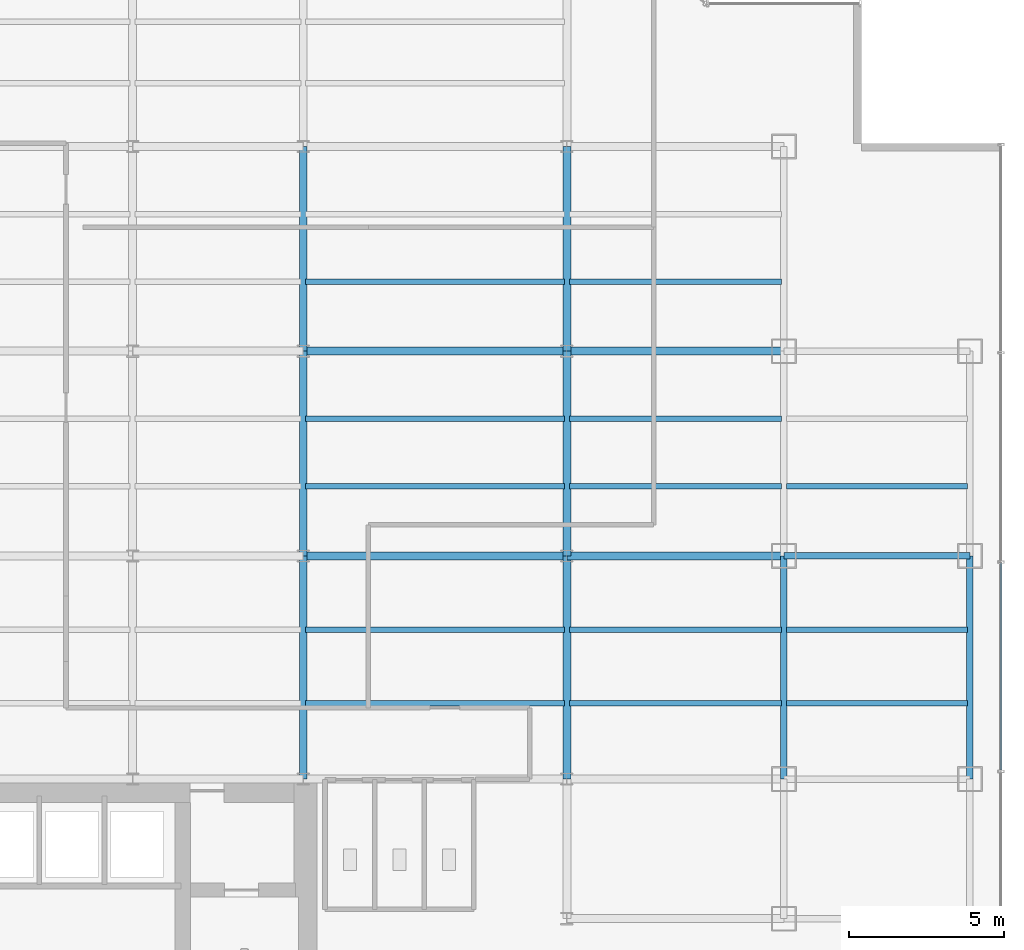
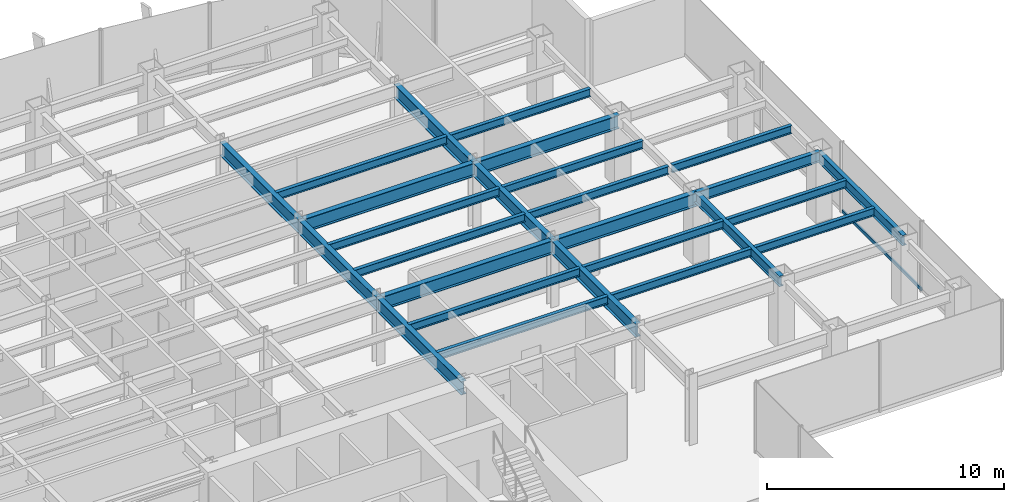
# One storey, part 11 of 26: 26 beams, 1 member, 1 element without a shape of its own.
"""IFC4 building model written with IfcOpenShell, lengths in metres."""

from ifc_helpers import new_model, si_unit, derived_unit, direction, frame, origin, origin_2d, place, context, subcontext, project, spatial, hollow_rectangle, i_section, extrude, source, transform, mapped, material, material_profile, profile_set, type_object, element, aggregate, save


model = new_model("IFC4")

# Units and contexts
model_context = context("Model", 3, precision=1e-05, world=origin(), true_north=direction((0.0, 1.0)))
body_context = subcontext(model_context, "Body", "Model", "MODEL_VIEW")
ifc_project = project(units=[si_unit("LENGTHUNIT", "METRE"), si_unit("AREAUNIT", "SQUARE_METRE"), si_unit("VOLUMEUNIT", "CUBIC_METRE"), si_unit("PLANEANGLEUNIT", "RADIAN"), si_unit("MASSUNIT", "GRAM", prefix="KILO"), derived_unit("THERMALTRANSMITTANCEUNIT", [(si_unit("POWERUNIT", "WATT"), 1), (si_unit("LENGTHUNIT", "METRE"), -2), (si_unit("THERMODYNAMICTEMPERATUREUNIT", "KELVIN"), -1)])], contexts=[model_context])

# Site, building, storey
site_placement = place(None, origin())
site = spatial("IfcSite", under=ifc_project, at=site_placement, CompositionType="ELEMENT")
building_placement = place(site_placement, origin())
building = spatial("IfcBuilding", under=site, at=building_placement, Name="Skarnbrae Concourse Arena and Tower", CompositionType="ELEMENT")
storey_placement = place(building_placement, frame((0.0, 0.0, 95.949951171875)))
storey = spatial("IfcBuildingStorey", under=building, at=storey_placement, Name="L23", CompositionType="ELEMENT", Elevation=95.949951171875)

# Beams
ifc_material_1 = material(Name="Steel CSA G40.21 350W", Category="steel")
ifc_material_profile_1 = material_profile(ifc_material_1, i_section(OverallWidth=0.256103515625, OverallDepth=0.693115234375, WebThickness=0.014404296875, FlangeThickness=0.023681640625, at=origin_2d()), Name="W690X170")
ifc_profile_set_1 = profile_set([ifc_material_profile_1], Name="Steel CSA G40.21 350W")
beam_type_1 = type_object("IfcBeamType", Name="BM-GIRD-W690X170", PredefinedType="BEAM", material=ifc_profile_set_1)
shared_shape_1 = source(origin(), body_context, "Body", "SweptSolid", [
    extrude(i_section(OverallWidth=0.256103515625, OverallDepth=0.693115234375, WebThickness=0.014404296875, FlangeThickness=0.023681640625, at=origin_2d()), origin(), (0.0, 0.0, 1.0), 7.0),
])
for number, where, z_axis, x_axis, name in (
    (1, (42.0, 21.199951171875, 3.053466796875), (1.0, 0.0, 0.0), (0.0, 1.0, 0.0), "L23 Primary E-W girder Y21.2-7"),
    (2, (42.0, 27.800048828125, 3.053466796875), (1.0, 0.0, 0.0), (0.0, 1.0, 0.0), "L23 Primary E-W girder Y27.8-7"),
):
    element("IfcBeam", number, at=place(storey_placement, frame(where, z_axis=z_axis, x_axis=x_axis)), inside=storey, type_object=beam_type_1, Name=name, PredefinedType="BEAM", context=body_context, shape_type="MappedRepresentation", body=[
        mapped(shared_shape_1, transform((0.0, 0.0, 0.0))),
    ])
ifc_material_profile_2 = material_profile(ifc_material_1, i_section(OverallWidth=0.208984375, OverallDepth=0.532958984375, WebThickness=0.01025390625, FlangeThickness=0.015625, at=origin_2d()), Name="W530X92")
ifc_profile_set_2 = profile_set([ifc_material_profile_2], Name="Steel CSA G40.21 350W")
beam_type_2 = type_object("IfcBeamType", Name="BM-SPAN-W530X92", PredefinedType="SPANDREL", material=ifc_profile_set_2)
shared_shape_2 = source(origin(), body_context, "Body", "SweptSolid", [
    extrude(i_section(OverallWidth=0.208984375, OverallDepth=0.532958984375, WebThickness=0.01025390625, FlangeThickness=0.015625, at=origin_2d()), origin(), (0.0, 0.0, 1.0), 6.0),
])
beam_placement = place(storey_placement, frame((49.0, 21.199951171875, 3.133544921875), z_axis=(1.0, 0.0, 0.0), x_axis=(0.0, 1.0, 0.0)))
element("IfcBeam", 3, at=beam_placement, inside=storey, type_object=beam_type_2, Name="L23 Perimeter spandrel Y21.2-8", PredefinedType="SPANDREL", context=body_context, shape_type="MappedRepresentation", body=[
    mapped(shared_shape_2, transform((0.0, 0.0, 0.0))),
])
shared_shape_3 = source(origin(), body_context, "Body", "SweptSolid", [
    extrude(i_section(OverallWidth=0.256103515625, OverallDepth=0.693115234375, WebThickness=0.014404296875, FlangeThickness=0.023681640625, at=origin_2d()), origin(), (0.0, 0.0, 1.0), 6.60009765625),
])
for number, where, z_axis, x_axis, name in (
    (4, (33.5, 21.199951171875, 3.053466796875), (0.0, 1.0, 0.0), (-1.0, 0.0, 0.0), "L23 Primary N-S girder X33.5-2"),
    (5, (42.0, 21.199951171875, 3.053466796875), (0.0, 1.0, 0.0), (-1.0, 0.0, 0.0), "L23 Primary N-S girder X42.0-3"),
):
    element("IfcBeam", number, at=place(storey_placement, frame(where, z_axis=z_axis, x_axis=x_axis)), inside=storey, type_object=beam_type_1, Name=name, PredefinedType="BEAM", context=body_context, shape_type="MappedRepresentation", body=[
        mapped(shared_shape_3, transform((0.0, 0.0, 0.0))),
    ])
shared_shape_4 = source(origin(), body_context, "Body", "SweptSolid", [
    extrude(i_section(OverallWidth=0.256103515625, OverallDepth=0.693115234375, WebThickness=0.014404296875, FlangeThickness=0.023681640625, at=origin_2d()), origin(), (0.0, 0.0, 1.0), 8.5),
])
for number, where, z_axis, x_axis, name in (
    (6, (33.5, 21.199951171875, 3.053466796875), (1.0, 0.0, 0.0), (0.0, 1.0, 0.0), "L23 Primary E-W girder Y21.2-6"),
    (7, (33.5, 27.800048828125, 3.053466796875), (1.0, 0.0, 0.0), (0.0, 1.0, 0.0), "L23 Primary E-W girder Y27.8-6"),
):
    element("IfcBeam", number, at=place(storey_placement, frame(where, z_axis=z_axis, x_axis=x_axis)), inside=storey, type_object=beam_type_1, Name=name, PredefinedType="BEAM", context=body_context, shape_type="MappedRepresentation", body=[
        mapped(shared_shape_4, transform((0.0, 0.0, 0.0))),
    ])
shared_shape_5 = source(origin(), body_context, "Body", "SweptSolid", [
    extrude(i_section(OverallWidth=0.208984375, OverallDepth=0.532958984375, WebThickness=0.01025390625, FlangeThickness=0.015625, at=origin_2d()), origin(), (0.0, 0.0, 1.0), 7.199951171875),
])
for number, where, z_axis, x_axis, name in (
    (8, (49.0, 14.0, 3.133544921875), (0.0, 1.0, 0.0), (-1.0, 0.0, 0.0), "L23 Perimeter spandrel X49.0-2"),
    (9, (55.0, 14.0, 3.133544921875), (0.0, 1.0, 0.0), (-1.0, 0.0, 0.0), "L23 Perimeter spandrel X55.0-2"),
):
    element("IfcBeam", number, at=place(storey_placement, frame(where, z_axis=z_axis, x_axis=x_axis)), inside=storey, type_object=beam_type_2, Name=name, PredefinedType="SPANDREL", context=body_context, shape_type="MappedRepresentation", body=[
        mapped(shared_shape_5, transform((0.0, 0.0, 0.0))),
    ])
shared_shape_6 = source(origin(), body_context, "Body", "SweptSolid", [
    extrude(i_section(OverallWidth=0.256103515625, OverallDepth=0.693115234375, WebThickness=0.014404296875, FlangeThickness=0.023681640625, at=origin_2d()), origin(), (0.0, 0.0, 1.0), 7.199951171875),
])
for number, where, z_axis, x_axis, name in (
    (10, (33.5, 14.0, 3.053466796875), (0.0, 1.0, 0.0), (-1.0, 0.0, 0.0), "L23 Primary N-S girder X33.5-1"),
    (11, (42.0, 14.0, 3.053466796875), (0.0, 1.0, 0.0), (-1.0, 0.0, 0.0), "L23 Primary N-S girder X42.0-2"),
):
    element("IfcBeam", number, at=place(storey_placement, frame(where, z_axis=z_axis, x_axis=x_axis)), inside=storey, type_object=beam_type_1, Name=name, PredefinedType="BEAM", context=body_context, shape_type="MappedRepresentation", body=[
        mapped(shared_shape_6, transform((0.0, 0.0, 0.0))),
    ])
shared_shape_7 = source(origin(), body_context, "Body", "SweptSolid", [
    extrude(i_section(OverallWidth=0.256103515625, OverallDepth=0.693115234375, WebThickness=0.014404296875, FlangeThickness=0.023681640625, at=origin_2d()), origin(), (0.0, 0.0, 1.0), 6.599853515625),
])
for number, where, z_axis, x_axis, name in (
    (12, (33.5, 27.800048828125, 3.053466796875), (0.0, 1.0, 0.0), (-1.0, 0.0, 0.0), "L23 Primary N-S girder X33.5-3"),
    (13, (42.0, 27.800048828125, 3.053466796875), (0.0, 1.0, 0.0), (-1.0, 0.0, 0.0), "L23 Primary N-S girder X42.0-4"),
):
    element("IfcBeam", number, at=place(storey_placement, frame(where, z_axis=z_axis, x_axis=x_axis)), inside=storey, type_object=beam_type_1, Name=name, PredefinedType="BEAM", context=body_context, shape_type="MappedRepresentation", body=[
        mapped(shared_shape_7, transform((0.0, 0.0, 0.0))),
    ])
ifc_material_profile_3 = material_profile(ifc_material_1, i_section(OverallWidth=0.177978515625, OverallDepth=0.406982421875, WebThickness=0.0078125, FlangeThickness=0.0126953125, at=origin_2d()), Name="W410X60")
ifc_profile_set_3 = profile_set([ifc_material_profile_3], Name="Steel CSA G40.21 350W")
beam_type_3 = type_object("IfcBeamType", Name="BM-JOIST-W410X60", PredefinedType="JOIST", material=ifc_profile_set_3)
shared_shape_8 = source(origin(), body_context, "Body", "SweptSolid", [
    extrude(i_section(OverallWidth=0.177978515625, OverallDepth=0.406982421875, WebThickness=0.0078125, FlangeThickness=0.0126953125, at=origin_2d()), origin(), (0.0, 0.0, 1.0), 8.33984375),
])
for number, where, z_axis, x_axis, name in (
    (14, (33.580078125, 16.447998046875, 3.196533203125), (1.0, 0.0, 0.0), (0.0, 1.0, 0.0), "L23 Secondary floor joist 1.1.6"),
    (15, (33.580078125, 18.823974609375, 3.196533203125), (1.0, 0.0, 0.0), (0.0, 1.0, 0.0), "L23 Secondary floor joist 1.2.6"),
    (16, (33.580078125, 23.444091796875, 3.196533203125), (1.0, 0.0, 0.0), (0.0, 1.0, 0.0), "L23 Secondary floor joist 2.1.6"),
    (17, (33.580078125, 25.6220703125, 3.196533203125), (1.0, 0.0, 0.0), (0.0, 1.0, 0.0), "L23 Secondary floor joist 2.2.6"),
    (18, (33.580078125, 30.0439453125, 3.196533203125), (1.0, 0.0, 0.0), (0.0, 1.0, 0.0), "L23 Secondary floor joist 3.1.5"),
):
    element("IfcBeam", number, at=place(storey_placement, frame(where, z_axis=z_axis, x_axis=x_axis)), inside=storey, type_object=beam_type_3, Name=name, PredefinedType="JOIST", context=body_context, shape_type="MappedRepresentation", body=[
        mapped(shared_shape_8, transform((0.0, 0.0, 0.0))),
    ])
shared_shape_9 = source(origin(), body_context, "Body", "SweptSolid", [
    extrude(i_section(OverallWidth=0.177978515625, OverallDepth=0.406982421875, WebThickness=0.0078125, FlangeThickness=0.0126953125, at=origin_2d()), origin(), (0.0, 0.0, 1.0), 6.83984375),
])
for number, where, z_axis, x_axis, name in (
    (19, (42.080078125, 16.447998046875, 3.196533203125), (1.0, 0.0, 0.0), (0.0, 1.0, 0.0), "L23 Secondary floor joist 1.1.7"),
    (20, (42.080078125, 18.823974609375, 3.196533203125), (1.0, 0.0, 0.0), (0.0, 1.0, 0.0), "L23 Secondary floor joist 1.2.7"),
    (21, (42.080078125, 23.444091796875, 3.196533203125), (1.0, 0.0, 0.0), (0.0, 1.0, 0.0), "L23 Secondary floor joist 2.1.7"),
    (22, (42.080078125, 25.6220703125, 3.196533203125), (1.0, 0.0, 0.0), (0.0, 1.0, 0.0), "L23 Secondary floor joist 2.2.7"),
    (23, (42.080078125, 30.0439453125, 3.196533203125), (1.0, 0.0, 0.0), (0.0, 1.0, 0.0), "L23 Secondary floor joist 3.1.6"),
):
    element("IfcBeam", number, at=place(storey_placement, frame(where, z_axis=z_axis, x_axis=x_axis)), inside=storey, type_object=beam_type_3, Name=name, PredefinedType="JOIST", context=body_context, shape_type="MappedRepresentation", body=[
        mapped(shared_shape_9, transform((0.0, 0.0, 0.0))),
    ])
shared_shape_10 = source(origin(), body_context, "Body", "SweptSolid", [
    extrude(i_section(OverallWidth=0.177978515625, OverallDepth=0.406982421875, WebThickness=0.0078125, FlangeThickness=0.0126953125, at=origin_2d()), origin(), (0.0, 0.0, 1.0), 5.83984375),
])
for number, where, z_axis, x_axis, name in (
    (24, (49.080078125, 16.447998046875, 3.196533203125), (1.0, 0.0, 0.0), (0.0, 1.0, 0.0), "L23 Secondary floor joist 1.1.8"),
    (25, (49.080078125, 18.823974609375, 3.196533203125), (1.0, 0.0, 0.0), (0.0, 1.0, 0.0), "L23 Secondary floor joist 1.2.8"),
    (26, (49.080078125, 23.444091796875, 3.196533203125), (1.0, 0.0, 0.0), (0.0, 1.0, 0.0), "L23 Secondary floor joist 2.1.8"),
):
    element("IfcBeam", number, at=place(storey_placement, frame(where, z_axis=z_axis, x_axis=x_axis)), inside=storey, type_object=beam_type_3, Name=name, PredefinedType="JOIST", context=body_context, shape_type="MappedRepresentation", body=[
        mapped(shared_shape_10, transform((0.0, 0.0, 0.0))),
    ])

# Curtain wall, member
ifc_material_2 = material(Name="Bronze anodised aluminium 6063-T6", Category="aluminium")
curtain_wall_type = type_object("IfcCurtainWallType", Name="CW-SYS-04-MIDZONE", PredefinedType="USERDEFINED", material=ifc_material_2)
curtain_wall_placement = place(storey_placement, origin())
curtain_wall = element("IfcCurtainWall", 27, at=curtain_wall_placement, inside=storey, type_object=curtain_wall_type, Name="L23 Unitised curtain wall CW-L23-E04", ObjectType="UNITISED CURTAIN WALL", PredefinedType="USERDEFINED")
ifc_material_profile_4 = material_profile(ifc_material_2, hollow_rectangle(XDim=0.074951171875, YDim=0.159912109375, WallThickness=0.00439453125, at=origin_2d()), Name="ALU-TRAN-75X160")
ifc_profile_set_4 = profile_set([ifc_material_profile_4], Name="Bronze anodised aluminium 6063-T6")
member_type = type_object("IfcMemberType", Name="CWT-CW-04", PredefinedType="USERDEFINED", material=ifc_profile_set_4)
shared_shape_11 = source(origin(), body_context, "Body", "SweptSolid", [
    extrude(hollow_rectangle(XDim=0.074951171875, YDim=0.159912109375, WallThickness=0.00439453125, at=origin_2d()), origin(), (0.0, 0.0, 1.0), 6.6748046875),
])
member_placement = place(storey_placement, frame((56.0, 14.28759765625, 0.080078125), z_axis=(0.0, 1.0, 0.0), x_axis=(-1.0, 0.0, 0.0)))
member = element("IfcMember", 28, at=member_placement, type_object=member_type, Name="CW-L23-E04 Transom 2", ObjectType="TRANSOM", PredefinedType="USERDEFINED", context=body_context, shape_type="MappedRepresentation", body=[
    mapped(shared_shape_11, transform((0.0, 0.0, 0.0))),
])
aggregate(curtain_wall, [member])

save(model, "model.ifc")
